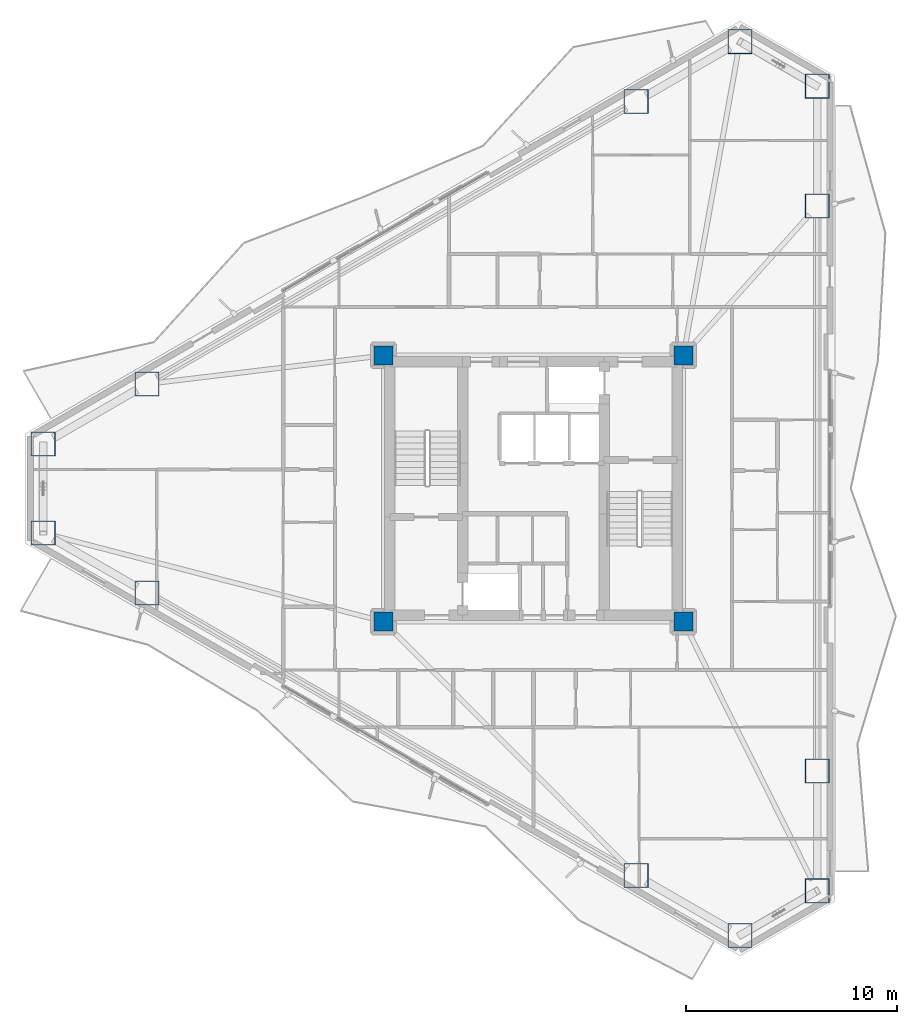
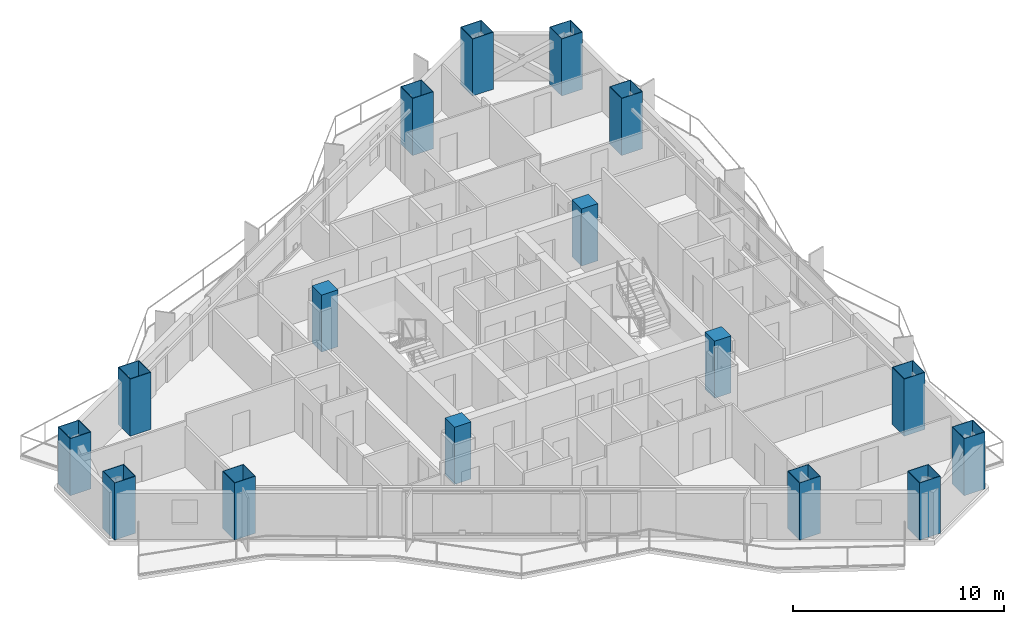
# One storey, part 1 of 23: 16 columns.
"""IFC4 building model written with IfcOpenShell, lengths in metres."""

from ifc_helpers import new_model, si_unit, direction, frame, origin, origin_2d, place, context, subcontext, project, spatial, rectangle, hollow_rectangle, extrude, material, material_profile, profile_set, type_object, element, save


model = new_model("IFC4")

# Units and contexts
model_context = context("Model", 3, precision=1e-05, world=origin(), true_north=direction((0.0, 1.0)))
body_context = subcontext(model_context, "Body", "Model", "MODEL_VIEW")
ifc_project = project(units=[si_unit("LENGTHUNIT", "METRE"), si_unit("AREAUNIT", "SQUARE_METRE"), si_unit("VOLUMEUNIT", "CUBIC_METRE"), si_unit("PLANEANGLEUNIT", "RADIAN"), si_unit("MASSUNIT", "GRAM", prefix="KILO")], contexts=[model_context])

# Site, building, storey
site_placement = place(None, origin())
site = spatial("IfcSite", under=ifc_project, at=site_placement, CompositionType="ELEMENT")
building_placement = place(site_placement, origin())
building = spatial("IfcBuilding", under=site, at=building_placement, Name="Mersakhor Tower and Convention Hall", CompositionType="ELEMENT")
storey_placement = place(building_placement, frame((0.0, 0.0, 73.5)))
storey = spatial("IfcBuildingStorey", under=building, at=storey_placement, Name="L19", CompositionType="ELEMENT", Elevation=73.5)

# Columns
ifc_material_1 = material(Name="Concrete C60/75 in S460M steel box", Category="concrete")
ifc_material_profile_1 = material_profile(ifc_material_1, hollow_rectangle(XDim=1.14990234375, YDim=1.14990234375, WallThickness=0.031982421875, at=origin_2d()), Name="SHS 1150x1150x32")
ifc_profile_set_1 = profile_set([ifc_material_profile_1], Name="Concrete C60/75 in S460M steel box")
column_type_1 = type_object("IfcColumnType", Name="COL-CFT-1150", PredefinedType="COLUMN", material=ifc_profile_set_1)
for number, where, z_axis, x_axis, name in (
    (1, (5.78662109375, 28.86083984375, 0.0), (0.0, 0.0, 1.0), (1.0, 0.0, 0.0), "L19 Perimeter Mega-Column MC-01"),
    (2, (10.702392578125, 31.698974609375, 0.0), (0.0, 0.0, 1.0), (1.0, 0.0, 0.0), "L19 Perimeter Mega-Column MC-02"),
    (3, (33.86279296875, 45.070556640625, 0.0), (0.0, 0.0, 1.0), (1.0, 0.0, 0.0), "L19 Perimeter Mega-Column MC-03"),
    (4, (38.77880859375, 47.90869140625, 0.0), (0.0, 0.0, 1.0), (1.0, 0.0, 0.0), "L19 Perimeter Mega-Column MC-04"),
    (5, (42.4345703125, 45.798095703125, 0.0), (0.0, 0.0, 1.0), (1.0, 0.0, 0.0), "L19 Perimeter Mega-Column MC-05"),
    (6, (42.4345703125, 40.12158203125, 0.0), (0.0, 0.0, 1.0), (1.0, 0.0, 0.0), "L19 Perimeter Mega-Column MC-06"),
    (7, (42.4345703125, 13.37841796875, 0.0), (0.0, 0.0, 1.0), (1.0, 0.0, 0.0), "L19 Perimeter Mega-Column MC-07"),
    (8, (42.4345703125, 7.701904296875, 0.0), (0.0, 0.0, 1.0), (1.0, 0.0, 0.0), "L19 Perimeter Mega-Column MC-08"),
    (9, (38.77880859375, 5.59130859375, 0.0), (0.0, 0.0, 1.0), (1.0, 0.0, 0.0), "L19 Perimeter Mega-Column MC-09"),
    (10, (33.86279296875, 8.429443359375, 0.0), (0.0, 0.0, 1.0), (1.0, 0.0, 0.0), "L19 Perimeter Mega-Column MC-10"),
    (11, (10.702392578125, 21.801025390625, 0.0), (0.0, 0.0, 1.0), (1.0, 0.0, 0.0), "L19 Perimeter Mega-Column MC-11"),
    (12, (5.78662109375, 24.63916015625, 0.0), (0.0, 0.0, 1.0), (1.0, 0.0, 0.0), "L19 Perimeter Mega-Column MC-12"),
):
    element("IfcColumn", number, at=place(storey_placement, frame(where, z_axis=z_axis, x_axis=x_axis)), inside=storey, type_object=column_type_1, Name=name, PredefinedType="COLUMN", context=body_context, shape_type="SweptSolid", body=[
        extrude(hollow_rectangle(XDim=1.14990234375, YDim=1.14990234375, WallThickness=0.031982421875, at=origin_2d()), origin(), (0.0, 0.0, 1.0), 3.300048828125),
    ])
ifc_material_2 = material(Name="Concrete C60/75", Category="concrete")
ifc_material_profile_2 = material_profile(ifc_material_2, rectangle(XDim=0.89990234375, YDim=0.89990234375, at=origin_2d()), Name="RC 900x900")
ifc_profile_set_2 = profile_set([ifc_material_profile_2], Name="Concrete C60/75")
column_type_2 = type_object("IfcColumnType", Name="COL-RC-900", PredefinedType="COLUMN", material=ifc_profile_set_2)
for number, where, z_axis, x_axis, name in (
    (13, (21.89990234375, 20.449951171875, 0.0), (0.0, 0.0, 1.0), (1.0, 0.0, 0.0), "L19 Core Corner Column CC-1"),
    (14, (21.89990234375, 33.050048828125, 0.0), (0.0, 0.0, 1.0), (1.0, 0.0, 0.0), "L19 Core Corner Column CC-2"),
    (15, (36.10009765625, 33.050048828125, 0.0), (0.0, 0.0, 1.0), (1.0, 0.0, 0.0), "L19 Core Corner Column CC-3"),
    (16, (36.10009765625, 20.449951171875, 0.0), (0.0, 0.0, 1.0), (1.0, 0.0, 0.0), "L19 Core Corner Column CC-4"),
):
    element("IfcColumn", number, at=place(storey_placement, frame(where, z_axis=z_axis, x_axis=x_axis)), inside=storey, type_object=column_type_2, Name=name, PredefinedType="COLUMN", context=body_context, shape_type="SweptSolid", body=[
        extrude(rectangle(XDim=0.89990234375, YDim=0.89990234375, at=origin_2d()), origin(), (0.0, 0.0, 1.0), 3.300048828125),
    ])

save(model, "model.ifc")
